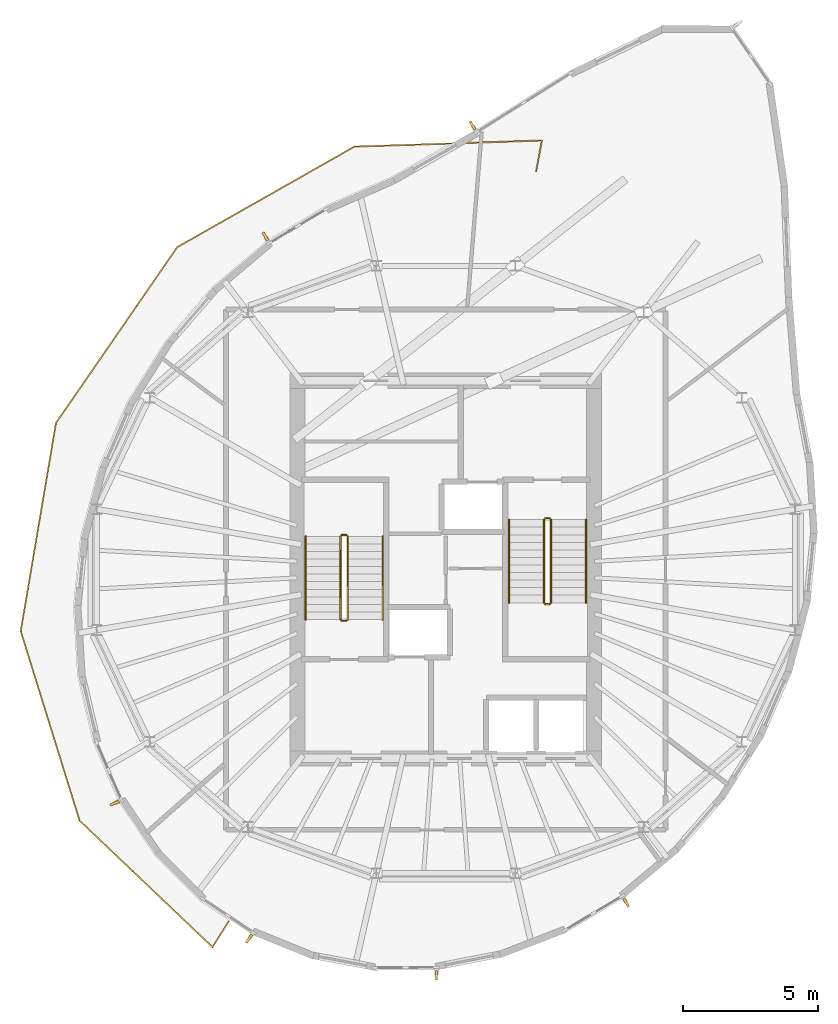
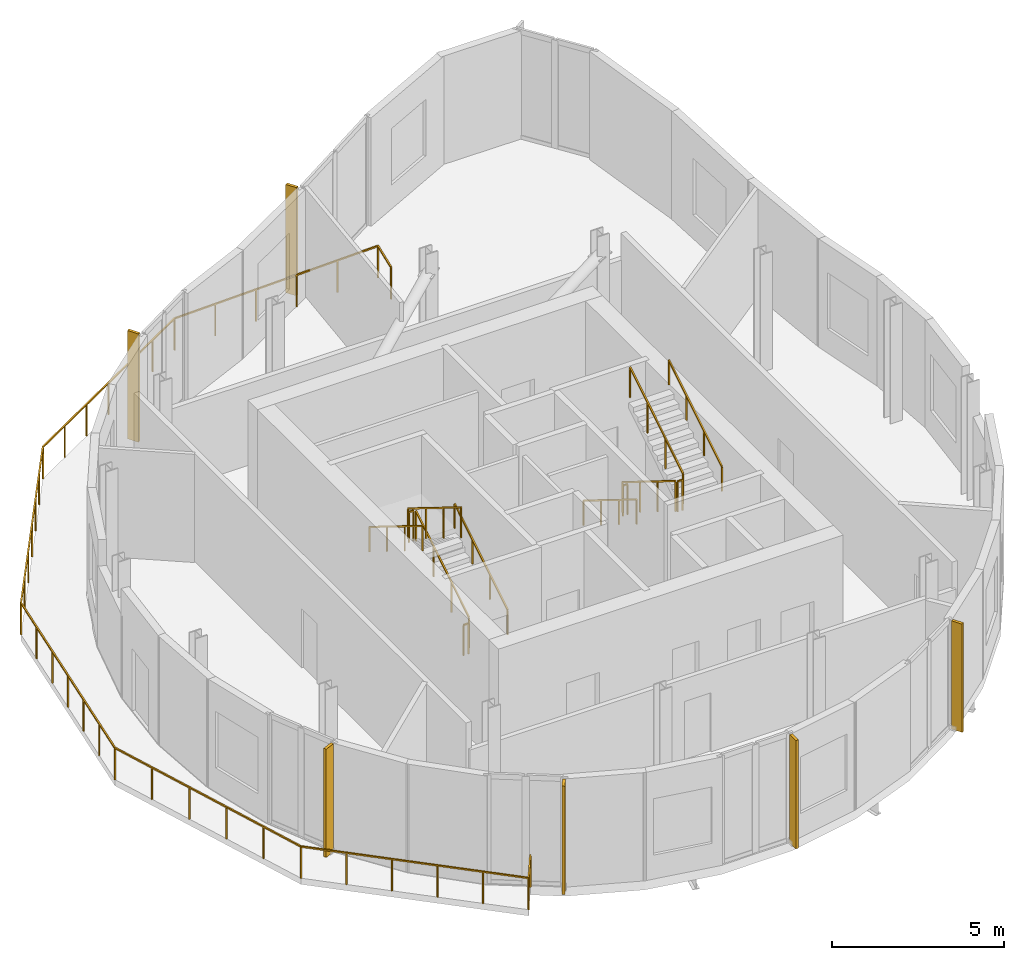
# One storey, part 7 of 8: 13 railings, 6 shading devices.
"""IFC4 building model written with IfcOpenShell, lengths in metres."""

from ifc_helpers import new_model, si_unit, direction, frame, origin, origin_2d, place, context, subcontext, project, spatial, rectangle, extrude, material, layer, layer_set, type_object, element, save


model = new_model("IFC4")

# Units and contexts
model_context = context("Model", 3, precision=1e-05, world=origin(), true_north=direction((0.0, 1.0)))
body_context = subcontext(model_context, "Body", "Model", "MODEL_VIEW")
ifc_project = project(units=[si_unit("LENGTHUNIT", "METRE"), si_unit("AREAUNIT", "SQUARE_METRE"), si_unit("VOLUMEUNIT", "CUBIC_METRE"), si_unit("PLANEANGLEUNIT", "RADIAN"), si_unit("MASSUNIT", "GRAM", prefix="KILO")], contexts=[model_context])

# Site, building, storey
site_placement = place(None, origin())
site = spatial("IfcSite", under=ifc_project, at=site_placement, CompositionType="ELEMENT")
building_placement = place(site_placement, origin())
building = spatial("IfcBuilding", under=site, at=building_placement, Name="Veldorim Arch Residences", CompositionType="ELEMENT")
storey_placement = place(building_placement, frame((0.0, 0.0, 246.8798828125)))
storey = spatial("IfcBuildingStorey", under=building, at=storey_placement, Name="L74", CompositionType="ELEMENT", Elevation=246.8798828125)

# Railings
ifc_material_1 = material(Name="Aluminium", Category="aluminium")
railing_type_1 = type_object("IfcRailingType", Name="Balcony & Terrace Laminated Glass Balustrade 1150", PredefinedType="BALUSTRADE", material=ifc_material_1)
railing_1_placement = place(storey_placement, frame((35.3505859375, 38.780517578125, 0.0)))
element("IfcRailing", 1, at=railing_1_placement, inside=storey, type_object=railing_type_1, Name="L74 crescent balcony safety balustrade A", PredefinedType="BALUSTRADE", context=body_context, shape_type="SweptSolid", body=[
    extrude(rectangle(XDim=0.048095703125, YDim=0.048095703125, at=origin_2d()), frame((0.0, 0.0, 1.1259765625), z_axis=(0.184673006063, 0.982800020773, 0.0), x_axis=(-0.982800020773, 0.184673006063, 0.0)), (0.0, 0.0, 1.0), 1.150146484375),
    extrude(rectangle(XDim=0.048095703125, YDim=0.048095703125, at=origin_2d()), frame((0.21240234375, 1.13037109375, 1.1259765625), z_axis=(-0.999474077486, -0.032427895909, 0.0), x_axis=(0.032427895909, -0.999474077486, 0.0)), (0.0, 0.0, 1.0), 6.95654296875),
    extrude(rectangle(XDim=0.048095703125, YDim=0.048095703125, at=origin_2d()), frame((-6.740478515625, 0.90478515625, 1.1259765625), z_axis=(-0.869857197793, -0.49330361386, 0.0), x_axis=(0.49330361386, -0.869857197793, 0.0)), (0.0, 0.0, 1.0), 7.55517578125),
    extrude(rectangle(XDim=0.048095703125, YDim=0.048095703125, at=origin_2d()), frame((-13.3125, -2.822265625, 1.1259765625), z_axis=(-0.567658749684, -0.823263957615, 0.0), x_axis=(0.823263957615, -0.567658749684, 0.0)), (0.0, 0.0, 1.0), 7.919189453125),
    extrude(rectangle(XDim=0.048095703125, YDim=0.048095703125, at=origin_2d()), frame((-17.807861328125, -9.341796875, 1.1259765625), z_axis=(-0.167032213275, -0.985951438829, 0.0), x_axis=(0.985951438829, -0.167032213275, 0.0)), (0.0, 0.0, 1.0), 7.83154296875),
    extrude(rectangle(XDim=0.048095703125, YDim=0.048095703125, at=origin_2d()), frame((-19.115966796875, -17.063232421875, 1.1259765625), z_axis=(0.296607964063, -0.954999327568, 0.0), x_axis=(0.954999327568, 0.296607964063, 0.0)), (0.0, 0.0, 1.0), 7.35693359375),
    extrude(rectangle(XDim=0.048095703125, YDim=0.048095703125, at=origin_2d()), frame((-16.933837890625, -24.089111328125, 1.1259765625), z_axis=(0.724440571968, -0.689337259755, 0.0), x_axis=(0.689337259755, 0.724440571968, 0.0)), (0.0, 0.0, 1.0), 6.808837890625),
    extrude(rectangle(XDim=0.048095703125, YDim=0.048095703125, at=origin_2d()), frame((-12.001220703125, -28.78271484375, 1.1259765625), z_axis=(0.533505667575, 0.8457964901, 0.0), x_axis=(-0.8457964901, 0.533505667575, 0.0)), (0.0, 0.0, 1.0), 1.14990234375),
    extrude(rectangle(XDim=0.0419921875, YDim=0.0419921875, at=origin_2d()), origin(), (0.0, 0.0, 1.0), 1.101806640625),
    extrude(rectangle(XDim=0.0419921875, YDim=0.0419921875, at=origin_2d()), frame((0.21240234375, 1.13037109375, 0.0)), (0.0, 0.0, 1.0), 1.101806640625),
    extrude(rectangle(XDim=0.0419921875, YDim=0.0419921875, at=origin_2d()), frame((-1.17822265625, 1.085205078125, 0.0)), (0.0, 0.0, 1.0), 1.101806640625),
    extrude(rectangle(XDim=0.0419921875, YDim=0.0419921875, at=origin_2d()), frame((-2.56884765625, 1.0400390625, 0.0)), (0.0, 0.0, 1.0), 1.101806640625),
    extrude(rectangle(XDim=0.0419921875, YDim=0.0419921875, at=origin_2d()), frame((-3.959228515625, 0.9951171875, 0.0)), (0.0, 0.0, 1.0), 1.101806640625),
    extrude(rectangle(XDim=0.0419921875, YDim=0.0419921875, at=origin_2d()), frame((-5.349853515625, 0.949951171875, 0.0)), (0.0, 0.0, 1.0), 1.101806640625),
    extrude(rectangle(XDim=0.0419921875, YDim=0.0419921875, at=origin_2d()), frame((-6.740478515625, 0.90478515625, 0.0)), (0.0, 0.0, 1.0), 1.101806640625),
    extrude(rectangle(XDim=0.0419921875, YDim=0.0419921875, at=origin_2d()), frame((-7.8359375, 0.28369140625, 0.0)), (0.0, 0.0, 1.0), 1.101806640625),
    extrude(rectangle(XDim=0.0419921875, YDim=0.0419921875, at=origin_2d()), frame((-8.93115234375, -0.337646484375, 0.0)), (0.0, 0.0, 1.0), 1.101806640625),
    extrude(rectangle(XDim=0.0419921875, YDim=0.0419921875, at=origin_2d()), frame((-10.0263671875, -0.958740234375, 0.0)), (0.0, 0.0, 1.0), 1.101806640625),
    extrude(rectangle(XDim=0.0419921875, YDim=0.0419921875, at=origin_2d()), frame((-11.121826171875, -1.579833984375, 0.0)), (0.0, 0.0, 1.0), 1.101806640625),
    extrude(rectangle(XDim=0.0419921875, YDim=0.0419921875, at=origin_2d()), frame((-12.21728515625, -2.201171875, 0.0)), (0.0, 0.0, 1.0), 1.101806640625),
    extrude(rectangle(XDim=0.0419921875, YDim=0.0419921875, at=origin_2d()), frame((-13.3125, -2.822265625, 0.0)), (0.0, 0.0, 1.0), 1.101806640625),
    extrude(rectangle(XDim=0.0419921875, YDim=0.0419921875, at=origin_2d()), frame((-14.061767578125, -3.908935546875, 0.0)), (0.0, 0.0, 1.0), 1.101806640625),
    extrude(rectangle(XDim=0.0419921875, YDim=0.0419921875, at=origin_2d()), frame((-14.81103515625, -4.995361328125, 0.0)), (0.0, 0.0, 1.0), 1.101806640625),
    extrude(rectangle(XDim=0.0419921875, YDim=0.0419921875, at=origin_2d()), frame((-15.56005859375, -6.08203125, 0.0)), (0.0, 0.0, 1.0), 1.101806640625),
    extrude(rectangle(XDim=0.0419921875, YDim=0.0419921875, at=origin_2d()), frame((-16.309326171875, -7.168701171875, 0.0)), (0.0, 0.0, 1.0), 1.101806640625),
    extrude(rectangle(XDim=0.0419921875, YDim=0.0419921875, at=origin_2d()), frame((-17.05859375, -8.255126953125, 0.0)), (0.0, 0.0, 1.0), 1.101806640625),
    extrude(rectangle(XDim=0.0419921875, YDim=0.0419921875, at=origin_2d()), frame((-17.807861328125, -9.341796875, 0.0)), (0.0, 0.0, 1.0), 1.101806640625),
    extrude(rectangle(XDim=0.0419921875, YDim=0.0419921875, at=origin_2d()), frame((-18.02587890625, -10.628662109375, 0.0)), (0.0, 0.0, 1.0), 1.101806640625),
    extrude(rectangle(XDim=0.0419921875, YDim=0.0419921875, at=origin_2d()), frame((-18.243896484375, -11.91552734375, 0.0)), (0.0, 0.0, 1.0), 1.101806640625),
    extrude(rectangle(XDim=0.0419921875, YDim=0.0419921875, at=origin_2d()), frame((-18.4619140625, -13.20263671875, 0.0)), (0.0, 0.0, 1.0), 1.101806640625),
    extrude(rectangle(XDim=0.0419921875, YDim=0.0419921875, at=origin_2d()), frame((-18.679931640625, -14.489501953125, 0.0)), (0.0, 0.0, 1.0), 1.101806640625),
    extrude(rectangle(XDim=0.0419921875, YDim=0.0419921875, at=origin_2d()), frame((-18.89794921875, -15.7763671875, 0.0)), (0.0, 0.0, 1.0), 1.101806640625),
    extrude(rectangle(XDim=0.0419921875, YDim=0.0419921875, at=origin_2d()), frame((-19.115966796875, -17.063232421875, 0.0)), (0.0, 0.0, 1.0), 1.101806640625),
    extrude(rectangle(XDim=0.0419921875, YDim=0.0419921875, at=origin_2d()), frame((-18.679443359375, -18.468505859375, 0.0)), (0.0, 0.0, 1.0), 1.101806640625),
    extrude(rectangle(XDim=0.0419921875, YDim=0.0419921875, at=origin_2d()), frame((-18.2431640625, -19.87353515625, 0.0)), (0.0, 0.0, 1.0), 1.101806640625),
    extrude(rectangle(XDim=0.0419921875, YDim=0.0419921875, at=origin_2d()), frame((-17.806640625, -21.27880859375, 0.0)), (0.0, 0.0, 1.0), 1.101806640625),
    extrude(rectangle(XDim=0.0419921875, YDim=0.0419921875, at=origin_2d()), frame((-17.370361328125, -22.683837890625, 0.0)), (0.0, 0.0, 1.0), 1.101806640625),
    extrude(rectangle(XDim=0.0419921875, YDim=0.0419921875, at=origin_2d()), frame((-16.933837890625, -24.089111328125, 0.0)), (0.0, 0.0, 1.0), 1.101806640625),
    extrude(rectangle(XDim=0.0419921875, YDim=0.0419921875, at=origin_2d()), frame((-15.947265625, -25.02783203125, 0.0)), (0.0, 0.0, 1.0), 1.101806640625),
    extrude(rectangle(XDim=0.0419921875, YDim=0.0419921875, at=origin_2d()), frame((-14.960693359375, -25.966552734375, 0.0)), (0.0, 0.0, 1.0), 1.101806640625),
    extrude(rectangle(XDim=0.0419921875, YDim=0.0419921875, at=origin_2d()), frame((-13.974365234375, -26.9052734375, 0.0)), (0.0, 0.0, 1.0), 1.101806640625),
    extrude(rectangle(XDim=0.0419921875, YDim=0.0419921875, at=origin_2d()), frame((-12.98779296875, -27.843994140625, 0.0)), (0.0, 0.0, 1.0), 1.101806640625),
    extrude(rectangle(XDim=0.0419921875, YDim=0.0419921875, at=origin_2d()), frame((-12.001220703125, -28.78271484375, 0.0)), (0.0, 0.0, 1.0), 1.101806640625),
    extrude(rectangle(XDim=0.0419921875, YDim=0.0419921875, at=origin_2d()), frame((-11.3876953125, -27.81005859375, 0.0)), (0.0, 0.0, 1.0), 1.101806640625),
])
ifc_material_2 = material(Name="Steel S355", Category="steel")
railing_type_2 = type_object("IfcRailingType", Name="Galvanised Steel Stair Safety Guardrail 1100", PredefinedType="GUARDRAIL", material=ifc_material_2)
railing_2_placement = place(storey_placement, frame((28.360107421875, 22.14990234375, 0.17333984375)))
element("IfcRailing", 2, at=railing_2_placement, inside=storey, type_object=railing_type_2, Name="L74 ST-1 stair guard 1", PredefinedType="GUARDRAIL", context=body_context, shape_type="SweptSolid", body=[
    extrude(rectangle(XDim=0.048095703125, YDim=0.048095703125, at=origin_2d()), frame((0.0, 0.0, 1.076171875), z_axis=(0.0, 0.850262274078, 0.526359254958), x_axis=(-1.0, 0.0, 0.0)), (0.0, 0.0, 1.0), 3.62255859375),
    extrude(rectangle(XDim=0.0419921875, YDim=0.0419921875, at=origin_2d()), origin(), (0.0, 0.0, 1.0), 1.052001953125),
    extrude(rectangle(XDim=0.0419921875, YDim=0.0419921875, at=origin_2d()), frame((0.0, 1.026611328125, 0.635498046875)), (0.0, 0.0, 1.0), 1.052001953125),
    extrude(rectangle(XDim=0.0419921875, YDim=0.0419921875, at=origin_2d()), frame((0.0, 2.053466796875, 1.271240234375)), (0.0, 0.0, 1.0), 1.052001953125),
    extrude(rectangle(XDim=0.0419921875, YDim=0.0419921875, at=origin_2d()), frame((0.0, 3.080078125, 1.90673828125)), (0.0, 0.0, 1.0), 1.052001953125),
])
railing_3_placement = place(storey_placement, frame((28.31005859375, 25.280029296875, 2.080078125)))
element("IfcRailing", 3, at=railing_3_placement, inside=storey, type_object=railing_type_2, Name="L74 ST-1 stair guard 2", PredefinedType="GUARDRAIL", context=body_context, shape_type="SweptSolid", body=[
    extrude(rectangle(XDim=0.048095703125, YDim=0.048095703125, at=origin_2d()), frame((0.0, 0.0, 1.076171875), z_axis=(-1.0, 0.0, 0.0), x_axis=(0.0, -1.0, 0.0)), (0.0, 0.0, 1.0), 0.16015625),
    extrude(rectangle(XDim=0.0419921875, YDim=0.0419921875, at=origin_2d()), origin(), (0.0, 0.0, 1.0), 1.052001953125),
    extrude(rectangle(XDim=0.0419921875, YDim=0.0419921875, at=origin_2d()), frame((-0.16015625, 0.0, 0.0)), (0.0, 0.0, 1.0), 1.052001953125),
])
railing_4_placement = place(storey_placement, frame((28.10009765625, 25.22998046875, 2.25341796875)))
element("IfcRailing", 4, at=railing_4_placement, inside=storey, type_object=railing_type_2, Name="L74 ST-1 stair guard 3", PredefinedType="GUARDRAIL", context=body_context, shape_type="SweptSolid", body=[
    extrude(rectangle(XDim=0.048095703125, YDim=0.048095703125, at=origin_2d()), frame((0.0, 0.0, 1.076171875), z_axis=(0.0, -0.850262274078, 0.526359254958), x_axis=(1.0, 0.0, 0.0)), (0.0, 0.0, 1.0), 3.62255859375),
    extrude(rectangle(XDim=0.0419921875, YDim=0.0419921875, at=origin_2d()), origin(), (0.0, 0.0, 1.0), 1.052001953125),
    extrude(rectangle(XDim=0.0419921875, YDim=0.0419921875, at=origin_2d()), frame((0.0, -1.026611328125, 0.635498046875)), (0.0, 0.0, 1.0), 1.052001953125),
    extrude(rectangle(XDim=0.0419921875, YDim=0.0419921875, at=origin_2d()), frame((0.0, -2.053466796875, 1.271240234375)), (0.0, 0.0, 1.0), 1.052001953125),
    extrude(rectangle(XDim=0.0419921875, YDim=0.0419921875, at=origin_2d()), frame((0.0, -3.080078125, 1.90673828125)), (0.0, 0.0, 1.0), 1.052001953125),
])
railing_5_placement = place(storey_placement, frame((28.31005859375, 22.10009765625, 0.0)))
element("IfcRailing", 5, at=railing_5_placement, inside=storey, type_object=railing_type_2, Name="L74 ST-1 stair guard 4", PredefinedType="GUARDRAIL", context=body_context, shape_type="SweptSolid", body=[
    extrude(rectangle(XDim=0.048095703125, YDim=0.048095703125, at=origin_2d()), frame((0.0, 0.0, 1.076171875), z_axis=(-1.0, 0.0, 0.0), x_axis=(0.0, -1.0, 0.0)), (0.0, 0.0, 1.0), 0.16015625),
    extrude(rectangle(XDim=0.0419921875, YDim=0.0419921875, at=origin_2d()), origin(), (0.0, 0.0, 1.0), 1.052001953125),
    extrude(rectangle(XDim=0.0419921875, YDim=0.0419921875, at=origin_2d()), frame((-0.16015625, 0.0, 0.0)), (0.0, 0.0, 1.0), 1.052001953125),
])
railing_6_placement = place(storey_placement, frame((35.639892578125, 25.85009765625, 0.17333984375)))
element("IfcRailing", 6, at=railing_6_placement, inside=storey, type_object=railing_type_2, Name="L74 ST-2 stair guard 1", PredefinedType="GUARDRAIL", context=body_context, shape_type="SweptSolid", body=[
    extrude(rectangle(XDim=0.048095703125, YDim=0.048095703125, at=origin_2d()), frame((0.0, 0.0, 1.076171875), z_axis=(0.0, -0.850262274078, 0.526359254958), x_axis=(1.0, 0.0, 0.0)), (0.0, 0.0, 1.0), 3.62255859375),
    extrude(rectangle(XDim=0.0419921875, YDim=0.0419921875, at=origin_2d()), origin(), (0.0, 0.0, 1.0), 1.052001953125),
    extrude(rectangle(XDim=0.0419921875, YDim=0.0419921875, at=origin_2d()), frame((0.0, -1.026611328125, 0.635498046875)), (0.0, 0.0, 1.0), 1.052001953125),
    extrude(rectangle(XDim=0.0419921875, YDim=0.0419921875, at=origin_2d()), frame((0.0, -2.053466796875, 1.271240234375)), (0.0, 0.0, 1.0), 1.052001953125),
    extrude(rectangle(XDim=0.0419921875, YDim=0.0419921875, at=origin_2d()), frame((0.0, -3.080078125, 1.90673828125)), (0.0, 0.0, 1.0), 1.052001953125),
])
railing_7_placement = place(storey_placement, frame((35.68994140625, 22.719970703125, 2.080078125)))
element("IfcRailing", 7, at=railing_7_placement, inside=storey, type_object=railing_type_2, Name="L74 ST-2 stair guard 2", PredefinedType="GUARDRAIL", context=body_context, shape_type="SweptSolid", body=[
    extrude(rectangle(XDim=0.048095703125, YDim=0.048095703125, at=origin_2d()), frame((0.0, 0.0, 1.076171875), z_axis=(1.0, 0.0, 0.0), x_axis=(0.0, 1.0, 0.0)), (0.0, 0.0, 1.0), 0.16015625),
    extrude(rectangle(XDim=0.0419921875, YDim=0.0419921875, at=origin_2d()), origin(), (0.0, 0.0, 1.0), 1.052001953125),
    extrude(rectangle(XDim=0.0419921875, YDim=0.0419921875, at=origin_2d()), frame((0.16015625, 0.0, 0.0)), (0.0, 0.0, 1.0), 1.052001953125),
])
railing_8_placement = place(storey_placement, frame((35.89990234375, 22.77001953125, 2.25341796875)))
element("IfcRailing", 8, at=railing_8_placement, inside=storey, type_object=railing_type_2, Name="L74 ST-2 stair guard 3", PredefinedType="GUARDRAIL", context=body_context, shape_type="SweptSolid", body=[
    extrude(rectangle(XDim=0.048095703125, YDim=0.048095703125, at=origin_2d()), frame((0.0, 0.0, 1.076171875), z_axis=(0.0, 0.850262274078, 0.526359254958), x_axis=(-1.0, 0.0, 0.0)), (0.0, 0.0, 1.0), 3.62255859375),
    extrude(rectangle(XDim=0.0419921875, YDim=0.0419921875, at=origin_2d()), origin(), (0.0, 0.0, 1.0), 1.052001953125),
    extrude(rectangle(XDim=0.0419921875, YDim=0.0419921875, at=origin_2d()), frame((0.0, 1.026611328125, 0.635498046875)), (0.0, 0.0, 1.0), 1.052001953125),
    extrude(rectangle(XDim=0.0419921875, YDim=0.0419921875, at=origin_2d()), frame((0.0, 2.053466796875, 1.271240234375)), (0.0, 0.0, 1.0), 1.052001953125),
    extrude(rectangle(XDim=0.0419921875, YDim=0.0419921875, at=origin_2d()), frame((0.0, 3.080078125, 1.90673828125)), (0.0, 0.0, 1.0), 1.052001953125),
])
railing_9_placement = place(storey_placement, frame((35.68994140625, 25.89990234375, 0.0)))
element("IfcRailing", 9, at=railing_9_placement, inside=storey, type_object=railing_type_2, Name="L74 ST-2 stair guard 4", PredefinedType="GUARDRAIL", context=body_context, shape_type="SweptSolid", body=[
    extrude(rectangle(XDim=0.048095703125, YDim=0.048095703125, at=origin_2d()), frame((0.0, 0.0, 1.076171875), z_axis=(1.0, 0.0, 0.0), x_axis=(0.0, 1.0, 0.0)), (0.0, 0.0, 1.0), 0.16015625),
    extrude(rectangle(XDim=0.0419921875, YDim=0.0419921875, at=origin_2d()), origin(), (0.0, 0.0, 1.0), 1.052001953125),
    extrude(rectangle(XDim=0.0419921875, YDim=0.0419921875, at=origin_2d()), frame((0.16015625, 0.0, 0.0)), (0.0, 0.0, 1.0), 1.052001953125),
])
ifc_material_3 = material(Name="Stainless Steel", Category="steel")
railing_type_3 = type_object("IfcRailingType", Name="Tubular Steel Continuous Wall Handrail 900", PredefinedType="HANDRAIL", material=ifc_material_3)
railing_10_placement = place(storey_placement, frame((29.659912109375, 22.14990234375, 0.17333984375)))
element("IfcRailing", 10, at=railing_10_placement, inside=storey, type_object=railing_type_3, Name="L74 ST-1 stair handrail 1", PredefinedType="HANDRAIL", context=body_context, shape_type="SweptSolid", body=[
    extrude(rectangle(XDim=0.048095703125, YDim=0.048095703125, at=origin_2d()), frame((0.0, 0.0, 0.8759765625), z_axis=(0.0, 0.850262274078, 0.526359254958), x_axis=(-1.0, 0.0, 0.0)), (0.0, 0.0, 1.0), 3.62255859375),
    extrude(rectangle(XDim=0.0419921875, YDim=0.0419921875, at=origin_2d()), origin(), (0.0, 0.0, 1.0), 0.851806640625),
    extrude(rectangle(XDim=0.0419921875, YDim=0.0419921875, at=origin_2d()), frame((0.0, 1.026611328125, 0.635498046875)), (0.0, 0.0, 1.0), 0.851806640625),
    extrude(rectangle(XDim=0.0419921875, YDim=0.0419921875, at=origin_2d()), frame((0.0, 2.053466796875, 1.271240234375)), (0.0, 0.0, 1.0), 0.851806640625),
    extrude(rectangle(XDim=0.0419921875, YDim=0.0419921875, at=origin_2d()), frame((0.0, 3.080078125, 1.90673828125)), (0.0, 0.0, 1.0), 0.851806640625),
])
for number, where, name in (
    (11, (26.800048828125, 25.22998046875, 2.25341796875), "L74 ST-1 stair handrail 2"),
    (12, (34.340087890625, 25.85009765625, 0.17333984375), "L74 ST-2 stair handrail 1"),
):
    element("IfcRailing", number, at=place(storey_placement, frame(where)), inside=storey, type_object=railing_type_3, Name=name, PredefinedType="HANDRAIL", context=body_context, shape_type="SweptSolid", body=[
        extrude(rectangle(XDim=0.048095703125, YDim=0.048095703125, at=origin_2d()), frame((0.0, 0.0, 0.8759765625), z_axis=(0.0, -0.850262274078, 0.526359254958), x_axis=(1.0, 0.0, 0.0)), (0.0, 0.0, 1.0), 3.62255859375),
        extrude(rectangle(XDim=0.0419921875, YDim=0.0419921875, at=origin_2d()), origin(), (0.0, 0.0, 1.0), 0.851806640625),
        extrude(rectangle(XDim=0.0419921875, YDim=0.0419921875, at=origin_2d()), frame((0.0, -1.026611328125, 0.635498046875)), (0.0, 0.0, 1.0), 0.851806640625),
        extrude(rectangle(XDim=0.0419921875, YDim=0.0419921875, at=origin_2d()), frame((0.0, -2.053466796875, 1.271240234375)), (0.0, 0.0, 1.0), 0.851806640625),
        extrude(rectangle(XDim=0.0419921875, YDim=0.0419921875, at=origin_2d()), frame((0.0, -3.080078125, 1.90673828125)), (0.0, 0.0, 1.0), 0.851806640625),
    ])
railing_11_placement = place(storey_placement, frame((37.199951171875, 22.77001953125, 2.25341796875)))
element("IfcRailing", 13, at=railing_11_placement, inside=storey, type_object=railing_type_3, Name="L74 ST-2 stair handrail 2", PredefinedType="HANDRAIL", context=body_context, shape_type="SweptSolid", body=[
    extrude(rectangle(XDim=0.048095703125, YDim=0.048095703125, at=origin_2d()), frame((0.0, 0.0, 0.8759765625), z_axis=(0.0, 0.850262274078, 0.526359254958), x_axis=(-1.0, 0.0, 0.0)), (0.0, 0.0, 1.0), 3.62255859375),
    extrude(rectangle(XDim=0.0419921875, YDim=0.0419921875, at=origin_2d()), origin(), (0.0, 0.0, 1.0), 0.851806640625),
    extrude(rectangle(XDim=0.0419921875, YDim=0.0419921875, at=origin_2d()), frame((0.0, 1.026611328125, 0.635498046875)), (0.0, 0.0, 1.0), 0.851806640625),
    extrude(rectangle(XDim=0.0419921875, YDim=0.0419921875, at=origin_2d()), frame((0.0, 2.053466796875, 1.271240234375)), (0.0, 0.0, 1.0), 0.851806640625),
    extrude(rectangle(XDim=0.0419921875, YDim=0.0419921875, at=origin_2d()), frame((0.0, 3.080078125, 1.90673828125)), (0.0, 0.0, 1.0), 0.851806640625),
])

# Shading devices
ifc_material_4 = material(Name="Terracotta Ceramic", Category="masonry")
ifc_layer = layer(ifc_material_4, 0.090087890625, Name="Vertical Extruded Terracotta Baguette Sun-Shading Fin")
ifc_layer_set = layer_set([ifc_layer], Name="Terracotta Ceramic")
shading_device_type = type_object("IfcShadingDeviceType", Name="Vertical Extruded Terracotta Baguette Sun-Shading Fin", PredefinedType="USERDEFINED", material=ifc_layer_set)
for number, where, z_axis, x_axis, name in (
    (14, (32.993408203125, 40.46044921875, 0.0), (0.0, 0.0, 1.0), (0.847214655028, 0.531250720758, 0.0), "L74 vertical terracotta sun-shading fin 03"),
    (15, (25.311279296875, 36.348388671875, 0.0), (0.0, 0.0, 1.0), (0.858691674181, 0.512492545011, 0.0), "L74 vertical terracotta sun-shading fin 06"),
    (16, (19.719970703125, 15.337890625, 0.0), (0.0, 0.0, 1.0), (-0.395705795671, 0.918377331641, 0.0), "L74 vertical terracotta sun-shading fin 15"),
    (17, (24.704345703125, 10.31298828125, 0.0), (0.0, 0.0, 1.0), (-0.833017813069, 0.553246168635, 0.0), "L74 vertical terracotta sun-shading fin 18"),
    (18, (31.654296875, 8.962646484375, 0.0), (0.0, 0.0, 1.0), (-0.99997914901, -0.006457673349, 0.0), "L74 vertical terracotta sun-shading fin 21"),
    (19, (38.688720703125, 11.651611328125, 0.0), (0.0, 0.0, 1.0), (-0.858691674181, -0.512492545011, 0.0), "L74 vertical terracotta sun-shading fin 24"),
):
    element("IfcShadingDevice", number, at=place(storey_placement, frame(where, z_axis=z_axis, x_axis=x_axis)), inside=storey, type_object=shading_device_type, Name=name, ObjectType="FIN", PredefinedType="USERDEFINED", context=body_context, shape_type="SweptSolid", body=[
        extrude(rectangle(XDim=0.090087890625, YDim=0.360107421875, at=origin_2d()), origin(), (0.0, 0.0, 1.0), 3.840087890625),
    ])

save(model, "model.ifc")
